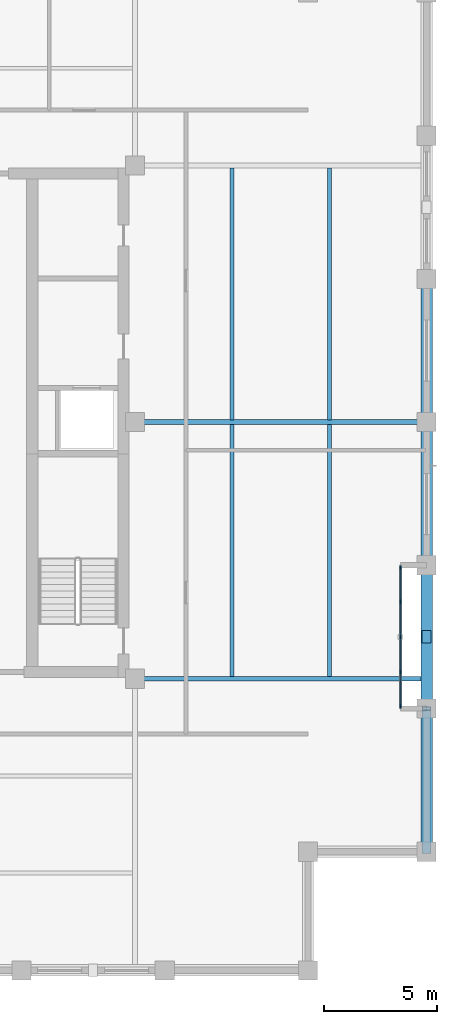
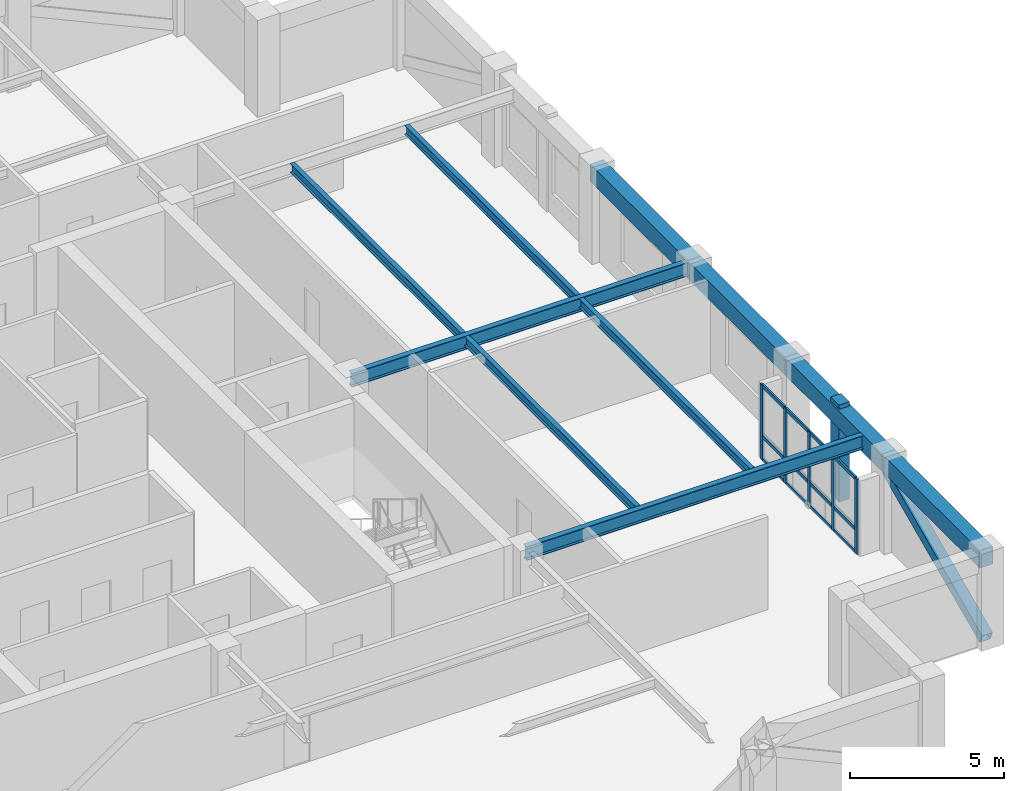
# One storey, part 2 of 11: 19 members, 10 beams, 1 element without a shape of its own.
"""IFC4 building model written with IfcOpenShell, lengths in metres."""

from ifc_helpers import new_model, si_unit, direction, frame, origin, origin_2d, place, context, subcontext, project, spatial, rectangle, hollow_rectangle, i_section, extrude, material, layer, layer_set, material_profile, profile_set, type_object, element, aggregate, save


model = new_model("IFC4")

# Units and contexts
model_context = context("Model", 3, precision=1e-05, world=origin(), true_north=direction((0.0, 1.0)))
body_context = subcontext(model_context, "Body", "Model", "MODEL_VIEW")
ifc_project = project(units=[si_unit("LENGTHUNIT", "METRE"), si_unit("AREAUNIT", "SQUARE_METRE"), si_unit("VOLUMEUNIT", "CUBIC_METRE"), si_unit("PLANEANGLEUNIT", "RADIAN"), si_unit("MASSUNIT", "GRAM", prefix="KILO")], contexts=[model_context])

# Site, building, storey
site_placement = place(None, origin())
site = spatial("IfcSite", under=ifc_project, at=site_placement, CompositionType="ELEMENT")
building_placement = place(site_placement, origin())
building = spatial("IfcBuilding", under=site, at=building_placement, Name="Nhamokura Convention Tower", CompositionType="ELEMENT")
storey_placement = place(building_placement, frame((0.0, 0.0, 244.64990234375)))
storey = spatial("IfcBuildingStorey", under=building, at=storey_placement, Name="L60", CompositionType="ELEMENT", Elevation=244.64990234375)

# Member
ifc_material_1 = material(Name="Bronze-pigmented precast concrete C45/55", Category="concrete")
ifc_material_profile_1 = material_profile(ifc_material_1, rectangle(XDim=0.39990234375, YDim=0.550048828125, at=origin_2d()))
ifc_profile_set_1 = profile_set([ifc_material_profile_1], Name="Bronze-pigmented precast concrete C45/55")
member_type_1 = type_object("IfcMemberType", Name="BronzePilaster_550", PredefinedType="USERDEFINED", material=ifc_profile_set_1)
member_1_placement = place(storey_placement, frame((56.25, 22.5, 0.0), z_axis=(0.0, 0.0, 1.0), x_axis=(1.0, 0.0, 0.0)))
element("IfcMember", 1, at=member_1_placement, inside=storey, type_object=member_type_1, Name="L60 Engaged Frame Pilaster EAST 1", ObjectType="PILASTER_TRIM", PredefinedType="USERDEFINED", context=body_context, shape_type="SweptSolid", body=[
    extrude(rectangle(XDim=0.39990234375, YDim=0.550048828125, at=origin_2d()), origin(), (0.0, 0.0, 1.0), 3.85009765625),
])

# Curtain wall, members
ifc_material_2 = material(Name="Anodised bronze aluminium AA6063-T6", Category="aluminium")
ifc_layer = layer(ifc_material_2, 0.155029296875)
ifc_layer_set = layer_set([ifc_layer], Name="CWSystem_ScaleSlot_Zone3")
curtain_wall_type = type_object("IfcCurtainWallType", Name="CWSystem_ScaleSlot_Zone3", PredefinedType="NOTDEFINED", material=ifc_layer_set)
curtain_wall_placement = place(storey_placement, origin())
curtain_wall = element("IfcCurtainWall", 2, at=curtain_wall_placement, inside=storey, type_object=curtain_wall_type, Name="L60 Curtain Wall ENV-L60-SLOT-E1", PredefinedType="NOTDEFINED")
ifc_material_3 = material(Name="Anodised bronze aluminium AA6063-T6", Category="aluminium")
ifc_material_profile_2 = material_profile(ifc_material_3, rectangle(XDim=0.06494140625, YDim=0.1650390625, at=origin_2d()))
ifc_profile_set_2 = profile_set([ifc_material_profile_2], Name="Anodised bronze aluminium AA6063-T6")
member_type_2 = type_object("IfcMemberType", Name="CWMullion_3", PredefinedType="MULLION", material=ifc_profile_set_2)
member_2_placement = place(storey_placement, frame((55.10009765625, 25.57421875, 0.0), z_axis=(0.0, 0.0, 1.0), x_axis=(1.0, 0.0, 0.0)))
member_2 = element("IfcMember", 3, at=member_2_placement, type_object=member_type_2, Name="CW-05 mullion 1", PredefinedType="MULLION", context=body_context, shape_type="SweptSolid", body=[
    extrude(rectangle(XDim=0.06494140625, YDim=0.1650390625, at=origin_2d()), origin(), (0.0, 0.0, 1.0), 2.985107421875),
])
member_3_placement = place(storey_placement, frame((55.10009765625, 24.053466796875, 0.0), z_axis=(0.0, 0.0, 1.0), x_axis=(1.0, 0.0, 0.0)))
member_3 = element("IfcMember", 4, at=member_3_placement, type_object=member_type_2, Name="CW-05 mullion 2", PredefinedType="MULLION", context=body_context, shape_type="SweptSolid", body=[
    extrude(rectangle(XDim=0.06494140625, YDim=0.1650390625, at=origin_2d()), origin(), (0.0, 0.0, 1.0), 2.985107421875),
])
member_4_placement = place(storey_placement, frame((55.10009765625, 22.5, 0.0), z_axis=(0.0, 0.0, 1.0), x_axis=(1.0, 0.0, 0.0)))
member_4 = element("IfcMember", 5, at=member_4_placement, type_object=member_type_2, Name="CW-05 mullion 3", PredefinedType="MULLION", context=body_context, shape_type="SweptSolid", body=[
    extrude(rectangle(XDim=0.06494140625, YDim=0.1650390625, at=origin_2d()), origin(), (0.0, 0.0, 1.0), 2.985107421875),
])
member_5_placement = place(storey_placement, frame((55.10009765625, 20.946533203125, 0.0), z_axis=(0.0, 0.0, 1.0), x_axis=(1.0, 0.0, 0.0)))
member_5 = element("IfcMember", 6, at=member_5_placement, type_object=member_type_2, Name="CW-05 mullion 4", PredefinedType="MULLION", context=body_context, shape_type="SweptSolid", body=[
    extrude(rectangle(XDim=0.06494140625, YDim=0.1650390625, at=origin_2d()), origin(), (0.0, 0.0, 1.0), 2.985107421875),
])
member_6_placement = place(storey_placement, frame((55.10009765625, 19.42578125, 0.0), z_axis=(0.0, 0.0, 1.0), x_axis=(1.0, 0.0, 0.0)))
member_6 = element("IfcMember", 7, at=member_6_placement, type_object=member_type_2, Name="CW-05 mullion 5", PredefinedType="MULLION", context=body_context, shape_type="SweptSolid", body=[
    extrude(rectangle(XDim=0.06494140625, YDim=0.1650390625, at=origin_2d()), origin(), (0.0, 0.0, 1.0), 2.985107421875),
])
ifc_material_4 = material(Name="Anodised bronze aluminium AA6063-T6", Category="aluminium")
ifc_material_profile_3 = material_profile(ifc_material_4, rectangle(XDim=0.06494140625, YDim=0.139892578125, at=origin_2d()))
ifc_profile_set_3 = profile_set([ifc_material_profile_3], Name="Anodised bronze aluminium AA6063-T6")
member_type_3 = type_object("IfcMemberType", Name="CWTransom_3", PredefinedType="USERDEFINED", material=ifc_profile_set_3)
member_7_placement = place(storey_placement, frame((55.10009765625, 25.541748046875, 0.03271484375), z_axis=(0.0, -1.0, 0.0), x_axis=(1.0, 0.0, 0.0)))
member_7 = element("IfcMember", 8, at=member_7_placement, type_object=member_type_3, Name="CW-05 transom 1.1", ObjectType="TRANSOM", PredefinedType="USERDEFINED", context=body_context, shape_type="SweptSolid", body=[
    extrude(rectangle(XDim=0.06494140625, YDim=0.139892578125, at=origin_2d()), origin(), (0.0, 0.0, 1.0), 1.455810546875),
])
member_8_placement = place(storey_placement, frame((55.10009765625, 25.541748046875, 0.9501953125), z_axis=(0.0, -1.0, 0.0), x_axis=(1.0, 0.0, 0.0)))
member_8 = element("IfcMember", 9, at=member_8_placement, type_object=member_type_3, Name="CW-05 transom 1.2", ObjectType="TRANSOM", PredefinedType="USERDEFINED", context=body_context, shape_type="SweptSolid", body=[
    extrude(rectangle(XDim=0.06494140625, YDim=0.139892578125, at=origin_2d()), origin(), (0.0, 0.0, 1.0), 1.455810546875),
])
member_9_placement = place(storey_placement, frame((55.10009765625, 25.541748046875, 2.95263671875), z_axis=(0.0, -1.0, 0.0), x_axis=(1.0, 0.0, 0.0)))
member_9 = element("IfcMember", 10, at=member_9_placement, type_object=member_type_3, Name="CW-05 transom 1.3", ObjectType="TRANSOM", PredefinedType="USERDEFINED", context=body_context, shape_type="SweptSolid", body=[
    extrude(rectangle(XDim=0.06494140625, YDim=0.139892578125, at=origin_2d()), origin(), (0.0, 0.0, 1.0), 1.455810546875),
])
member_10_placement = place(storey_placement, frame((55.10009765625, 24.020751953125, 0.03271484375), z_axis=(0.0, -1.0, 0.0), x_axis=(1.0, 0.0, 0.0)))
member_10 = element("IfcMember", 11, at=member_10_placement, type_object=member_type_3, Name="CW-05 transom 2.1", ObjectType="TRANSOM", PredefinedType="USERDEFINED", context=body_context, shape_type="SweptSolid", body=[
    extrude(rectangle(XDim=0.06494140625, YDim=0.139892578125, at=origin_2d()), origin(), (0.0, 0.0, 1.0), 1.48828125),
])
member_11_placement = place(storey_placement, frame((55.10009765625, 24.020751953125, 0.9501953125), z_axis=(0.0, -1.0, 0.0), x_axis=(1.0, 0.0, 0.0)))
member_11 = element("IfcMember", 12, at=member_11_placement, type_object=member_type_3, Name="CW-05 transom 2.2", ObjectType="TRANSOM", PredefinedType="USERDEFINED", context=body_context, shape_type="SweptSolid", body=[
    extrude(rectangle(XDim=0.06494140625, YDim=0.139892578125, at=origin_2d()), origin(), (0.0, 0.0, 1.0), 1.48828125),
])
member_12_placement = place(storey_placement, frame((55.10009765625, 24.020751953125, 2.95263671875), z_axis=(0.0, -1.0, 0.0), x_axis=(1.0, 0.0, 0.0)))
member_12 = element("IfcMember", 13, at=member_12_placement, type_object=member_type_3, Name="CW-05 transom 2.3", ObjectType="TRANSOM", PredefinedType="USERDEFINED", context=body_context, shape_type="SweptSolid", body=[
    extrude(rectangle(XDim=0.06494140625, YDim=0.139892578125, at=origin_2d()), origin(), (0.0, 0.0, 1.0), 1.48828125),
])
member_13_placement = place(storey_placement, frame((55.10009765625, 22.467529296875, 0.03271484375), z_axis=(0.0, -1.0, 0.0), x_axis=(1.0, 0.0, 0.0)))
member_13 = element("IfcMember", 14, at=member_13_placement, type_object=member_type_3, Name="CW-05 transom 3.1", ObjectType="TRANSOM", PredefinedType="USERDEFINED", context=body_context, shape_type="SweptSolid", body=[
    extrude(rectangle(XDim=0.06494140625, YDim=0.139892578125, at=origin_2d()), origin(), (0.0, 0.0, 1.0), 1.48828125),
])
member_14_placement = place(storey_placement, frame((55.10009765625, 22.467529296875, 0.9501953125), z_axis=(0.0, -1.0, 0.0), x_axis=(1.0, 0.0, 0.0)))
member_14 = element("IfcMember", 15, at=member_14_placement, type_object=member_type_3, Name="CW-05 transom 3.2", ObjectType="TRANSOM", PredefinedType="USERDEFINED", context=body_context, shape_type="SweptSolid", body=[
    extrude(rectangle(XDim=0.06494140625, YDim=0.139892578125, at=origin_2d()), origin(), (0.0, 0.0, 1.0), 1.48828125),
])
member_15_placement = place(storey_placement, frame((55.10009765625, 22.467529296875, 2.95263671875), z_axis=(0.0, -1.0, 0.0), x_axis=(1.0, 0.0, 0.0)))
member_15 = element("IfcMember", 16, at=member_15_placement, type_object=member_type_3, Name="CW-05 transom 3.3", ObjectType="TRANSOM", PredefinedType="USERDEFINED", context=body_context, shape_type="SweptSolid", body=[
    extrude(rectangle(XDim=0.06494140625, YDim=0.139892578125, at=origin_2d()), origin(), (0.0, 0.0, 1.0), 1.48828125),
])
member_16_placement = place(storey_placement, frame((55.10009765625, 20.9140625, 0.03271484375), z_axis=(0.0, -1.0, 0.0), x_axis=(1.0, 0.0, 0.0)))
member_16 = element("IfcMember", 17, at=member_16_placement, type_object=member_type_3, Name="CW-05 transom 4.1", ObjectType="TRANSOM", PredefinedType="USERDEFINED", context=body_context, shape_type="SweptSolid", body=[
    extrude(rectangle(XDim=0.06494140625, YDim=0.139892578125, at=origin_2d()), origin(), (0.0, 0.0, 1.0), 1.455810546875),
])
member_17_placement = place(storey_placement, frame((55.10009765625, 20.9140625, 0.9501953125), z_axis=(0.0, -1.0, 0.0), x_axis=(1.0, 0.0, 0.0)))
member_17 = element("IfcMember", 18, at=member_17_placement, type_object=member_type_3, Name="CW-05 transom 4.2", ObjectType="TRANSOM", PredefinedType="USERDEFINED", context=body_context, shape_type="SweptSolid", body=[
    extrude(rectangle(XDim=0.06494140625, YDim=0.139892578125, at=origin_2d()), origin(), (0.0, 0.0, 1.0), 1.455810546875),
])
member_18_placement = place(storey_placement, frame((55.10009765625, 20.9140625, 2.95263671875), z_axis=(0.0, -1.0, 0.0), x_axis=(1.0, 0.0, 0.0)))
member_18 = element("IfcMember", 19, at=member_18_placement, type_object=member_type_3, Name="CW-05 transom 4.3", ObjectType="TRANSOM", PredefinedType="USERDEFINED", context=body_context, shape_type="SweptSolid", body=[
    extrude(rectangle(XDim=0.06494140625, YDim=0.139892578125, at=origin_2d()), origin(), (0.0, 0.0, 1.0), 1.455810546875),
])
aggregate(curtain_wall, [member_2, member_3, member_4, member_5, member_6, member_7, member_8, member_9, member_10, member_11, member_12, member_13, member_14, member_15, member_16, member_17, member_18])

# Beams
ifc_material_5 = material(Name="Steel ASTM A992 Gr 50", Category="steel")
ifc_material_profile_4 = material_profile(ifc_material_5, i_section(OverallWidth=0.172119140625, OverallDepth=0.35791015625, WebThickness=0.0078125, FlangeThickness=0.01318359375, at=origin_2d()))
ifc_profile_set_4 = profile_set([ifc_material_profile_4], Name="Steel ASTM A992 Gr 50")
beam_type_1 = type_object("IfcBeamType", Name="FloorJoist_W360X57", PredefinedType="JOIST", material=ifc_profile_set_4)
for number, where, z_axis, x_axis, name in (
    (20, (47.64990234375, 20.75341796875, 3.506103515625), (0.0, 1.0, 0.0), (-1.0, 0.0, 0.0), "L60 Composite Floor Joist E1A"),
    (21, (47.64990234375, 32.103515625, 3.506103515625), (0.0, 1.0, 0.0), (-1.0, 0.0, 0.0), "L60 Composite Floor Joist E1B"),
    (22, (51.949951171875, 20.75341796875, 3.506103515625), (0.0, 1.0, 0.0), (-1.0, 0.0, 0.0), "L60 Composite Floor Joist E2A"),
    (23, (51.949951171875, 32.103515625, 3.506103515625), (0.0, 1.0, 0.0), (-1.0, 0.0, 0.0), "L60 Composite Floor Joist E2B"),
):
    element("IfcBeam", number, at=place(storey_placement, frame(where, z_axis=z_axis, x_axis=x_axis)), inside=storey, type_object=beam_type_1, Name=name, PredefinedType="JOIST", context=body_context, shape_type="SweptSolid", body=[
        extrude(i_section(OverallWidth=0.172119140625, OverallDepth=0.35791015625, WebThickness=0.0078125, FlangeThickness=0.01318359375, at=origin_2d()), origin(), (0.0, 0.0, 1.0), 11.14306640625),
    ])
ifc_material_6 = material(Name="Steel ASTM A992 Gr 50", Category="steel")
ifc_material_profile_5 = material_profile(ifc_material_6, i_section(OverallWidth=0.2109375, OverallDepth=0.5390625, WebThickness=0.01171875, FlangeThickness=0.018798828125, at=origin_2d()))
ifc_profile_set_5 = profile_set([ifc_material_profile_5], Name="Steel ASTM A992 Gr 50")
beam_type_2 = type_object("IfcBeamType", Name="PrimaryGirder_W530X109", PredefinedType="BEAM", material=ifc_profile_set_5)
for number, where, z_axis, x_axis, name in (
    (24, (43.35009765625, 20.64990234375, 3.41552734375), (1.0, 0.0, 0.0), (0.0, 1.0, 0.0), "L60 Primary Floor Girder PG-E1"),
    (25, (43.35009765625, 32.0, 3.41552734375), (1.0, 0.0, 0.0), (0.0, 1.0, 0.0), "L60 Primary Floor Girder PG-E2"),
):
    element("IfcBeam", number, at=place(storey_placement, frame(where, z_axis=z_axis, x_axis=x_axis)), inside=storey, type_object=beam_type_2, Name=name, PredefinedType="BEAM", context=body_context, shape_type="SweptSolid", body=[
        extrude(i_section(OverallWidth=0.2109375, OverallDepth=0.5390625, WebThickness=0.01171875, FlangeThickness=0.018798828125, at=origin_2d()), origin(), (0.0, 0.0, 1.0), 12.89990234375),
    ])

# Member
ifc_material_7 = material(Name="Steel ASTM A572 Gr 50", Category="steel")
ifc_material_profile_6 = material_profile(ifc_material_7, hollow_rectangle(XDim=0.39990234375, YDim=0.39990234375, WallThickness=0.02001953125, at=origin_2d()))
ifc_profile_set_6 = profile_set([ifc_material_profile_6], Name="Steel ASTM A572 Gr 50")
member_type_4 = type_object("IfcMemberType", Name="TubeBrace_HSS400", PredefinedType="BRACE", material=ifc_profile_set_6)
member_19_placement = place(storey_placement, frame((56.25, 13.0, 0.150146484375), z_axis=(0.0, 0.910027379678, 0.41454814948), x_axis=(-1.0, 0.0, 0.0)))
element("IfcMember", 26, at=member_19_placement, inside=storey, type_object=member_type_4, Name="L60 Perimeter Tube Brace EAST Bay 0", PredefinedType="BRACE", context=body_context, shape_type="SweptSolid", body=[
    extrude(hollow_rectangle(XDim=0.39990234375, YDim=0.39990234375, WallThickness=0.02001953125, at=origin_2d()), origin(), (0.0, 0.0, 1.0), 6.95947265625),
])

# Beams
ifc_material_8 = material(Name="Concrete C50/60", Category="concrete")
ifc_material_profile_7 = material_profile(ifc_material_8, rectangle(XDim=0.5, YDim=0.699951171875, at=origin_2d()))
ifc_profile_set_7 = profile_set([ifc_material_profile_7], Name="Concrete C50/60")
beam_type_3 = type_object("IfcBeamType", Name="TubeSpandrel_700", PredefinedType="SPANDREL", material=ifc_profile_set_7)
beam_1_placement = place(storey_placement, frame((56.25, 13.0, 3.335205078125), z_axis=(0.0, 1.0, 0.0), x_axis=(-1.0, 0.0, 0.0)))
element("IfcBeam", 27, at=beam_1_placement, inside=storey, type_object=beam_type_3, Name="L60 Perimeter Spandrel EAST 1", PredefinedType="SPANDREL", context=body_context, shape_type="SweptSolid", body=[
    extrude(rectangle(XDim=0.5, YDim=0.699951171875, at=origin_2d()), origin(), (0.0, 0.0, 1.0), 6.333251953125),
])
beam_2_placement = place(storey_placement, frame((56.25, 19.333251953125, 3.335205078125), z_axis=(0.0, 1.0, 0.0), x_axis=(-1.0, 0.0, 0.0)))
element("IfcBeam", 28, at=beam_2_placement, inside=storey, type_object=beam_type_3, Name="L60 Perimeter Spandrel EAST 2", PredefinedType="SPANDREL", context=body_context, shape_type="SweptSolid", body=[
    extrude(rectangle(XDim=0.5, YDim=0.699951171875, at=origin_2d()), origin(), (0.0, 0.0, 1.0), 6.33349609375),
])
for number, where, z_axis, x_axis, name in (
    (29, (56.25, 25.666748046875, 3.335205078125), (0.0, 1.0, 0.0), (-1.0, 0.0, 0.0), "L60 Perimeter Spandrel EAST 3"),
    (30, (56.25, 32.0, 3.335205078125), (0.0, 1.0, 0.0), (-1.0, 0.0, 0.0), "L60 Perimeter Spandrel EAST 4"),
):
    element("IfcBeam", number, at=place(storey_placement, frame(where, z_axis=z_axis, x_axis=x_axis)), inside=storey, type_object=beam_type_3, Name=name, PredefinedType="SPANDREL", context=body_context, shape_type="SweptSolid", body=[
        extrude(rectangle(XDim=0.5, YDim=0.699951171875, at=origin_2d()), origin(), (0.0, 0.0, 1.0), 6.333251953125),
    ])

save(model, "model.ifc")
